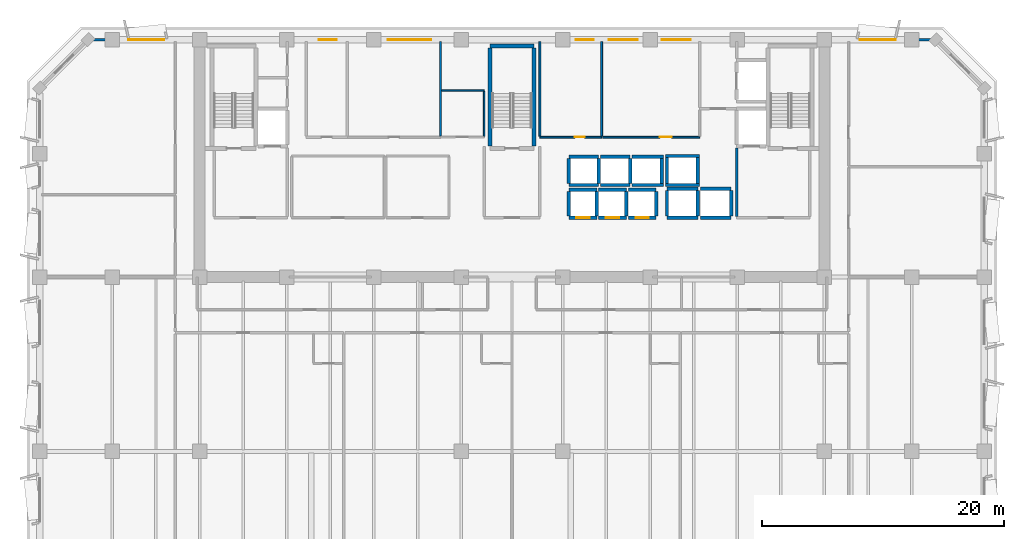
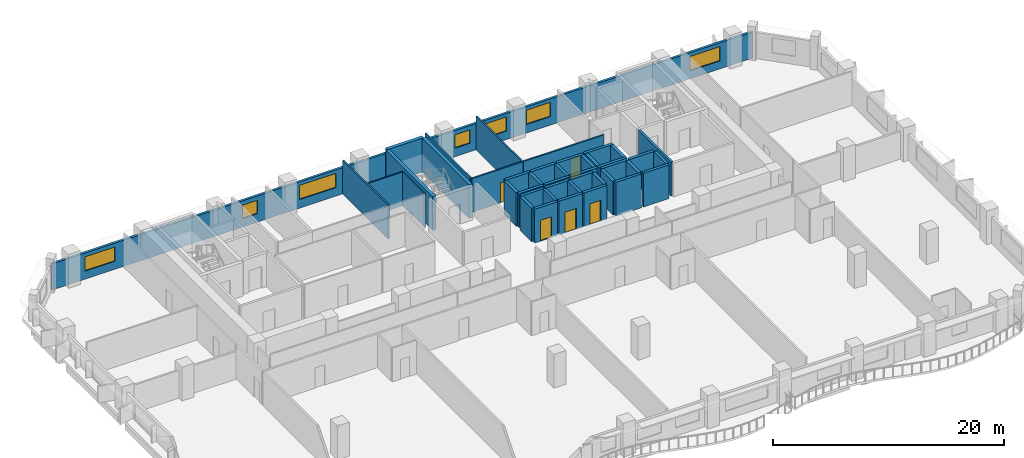
# One storey, part 7 of 14: 43 walls, 7 windows, 5 doors, 12 openings.
"""IFC4 building model written with IfcOpenShell, lengths in metres."""

from ifc_helpers import new_model, si_unit, direction, frame, frame_2d, origin, place, context, subcontext, project, spatial, rectangle, extrude, material, layer, layer_set, type_object, element, fill, save


model = new_model("IFC4")

# Units and contexts
model_context = context("Model", 3, precision=1e-05, world=origin(), true_north=direction((0.0, 1.0)))
body_context = subcontext(model_context, "Body", "Model", "MODEL_VIEW")
ifc_project = project(units=[si_unit("LENGTHUNIT", "METRE"), si_unit("AREAUNIT", "SQUARE_METRE"), si_unit("VOLUMEUNIT", "CUBIC_METRE"), si_unit("PLANEANGLEUNIT", "RADIAN"), si_unit("MASSUNIT", "GRAM", prefix="KILO")], contexts=[model_context])

# Site, building, storey
site_placement = place(None, origin())
site = spatial("IfcSite", under=ifc_project, at=site_placement, CompositionType="ELEMENT")
building_placement = place(site_placement, origin())
building = spatial("IfcBuilding", under=site, at=building_placement, Name="Kaelvorn Grand Hotel", CompositionType="ELEMENT")
storey_placement = place(building_placement, frame((0.0, 0.0, 216.75)))
storey = spatial("IfcBuildingStorey", under=building, at=storey_placement, Name="L53", CompositionType="ELEMENT", Elevation=216.75)

# Wall, openings, windows
ifc_material_1 = material(Name="Concrete C40/50", Category="concrete")
ifc_layer_1 = layer(ifc_material_1, 0.239990234375)
ifc_layer_set_1 = layer_set([ifc_layer_1], Name="Concrete C40/50")
wall_type_1 = type_object("IfcWallType", Name="WL-EXT-240-C40", PredefinedType="SOLIDWALL", material=ifc_layer_set_1)
wall_1_placement = place(storey_placement, frame((77.0, 49.0, 0.0), z_axis=(0.0, 0.0, 1.0), x_axis=(-1.0, 0.0, 0.0)))
wall_1 = element("IfcWall", 1, at=wall_1_placement, inside=storey, type_object=wall_type_1, Name="L53 Exterior Architectural Concrete Wall 05", PredefinedType="SOLIDWALL", context=body_context, shape_type="SweptSolid", body=[
    extrude(rectangle(XDim=70.0, YDim=0.239990234375, at=frame_2d((35.0, 0.0))), origin(), (0.0, 0.0, 1.0), 2.760009765625),
])
opening_1_placement = place(wall_1_placement, frame((63.699951171875, 0.0, 0.85009765625)))
opening_1 = element("IfcOpeningElement", 2, at=opening_1_placement, cuts=wall_1, Name="Opening W5", PredefinedType="OPENING", context=body_context, shape_type="SweptSolid", body=[
    extrude(rectangle(XDim=3.0, YDim=1.5, at=frame_2d((1.5, 0.75))), frame((0.0, 0.1298828125, 0.0), z_axis=(0.0, -1.0, 0.0), x_axis=(1.0, 0.0, 0.0)), (0.0, 0.0, 1.0), 0.260009765625),
])
opening_2_placement = place(wall_1_placement, frame((3.300048828125, 0.0, 0.85009765625)))
opening_2 = element("IfcOpeningElement", 3, at=opening_2_placement, cuts=wall_1, Name="Opening W5", PredefinedType="OPENING", context=body_context, shape_type="SweptSolid", body=[
    extrude(rectangle(XDim=3.0, YDim=1.5, at=frame_2d((1.5, 0.75))), frame((0.0, 0.1298828125, 0.0), z_axis=(0.0, -1.0, 0.0), x_axis=(1.0, 0.0, 0.0)), (0.0, 0.0, 1.0), 0.260009765625),
])
opening_3_placement = place(wall_1_placement, frame((49.465087890625, 0.0, 0.89990234375)))
opening_3 = element("IfcOpeningElement", 4, at=opening_3_placement, cuts=wall_1, Name="Opening W10", PredefinedType="OPENING", context=body_context, shape_type="SweptSolid", body=[
    extrude(rectangle(XDim=1.5, YDim=1.39990234375, at=frame_2d((0.75, 0.699951171875))), frame((0.0, 0.1298828125, 0.0), z_axis=(0.0, -1.0, 0.0), x_axis=(1.0, 0.0, 0.0)), (0.0, 0.0, 1.0), 0.260009765625),
])
opening_4_placement = place(wall_1_placement, frame((41.64990234375, 0.0, 0.89990234375)))
opening_4 = element("IfcOpeningElement", 5, at=opening_4_placement, cuts=wall_1, Name="Opening W3", PredefinedType="OPENING", context=body_context, shape_type="SweptSolid", body=[
    extrude(rectangle(XDim=3.60009765625, YDim=1.5, at=frame_2d((1.800048828125, 0.75))), frame((0.0, 0.1298828125, 0.0), z_axis=(0.0, -1.0, 0.0), x_axis=(1.0, 0.0, 0.0)), (0.0, 0.0, 1.0), 0.260009765625),
])
opening_5_placement = place(wall_1_placement, frame((28.25, 0.0, 0.89990234375)))
opening_5 = element("IfcOpeningElement", 6, at=opening_5_placement, cuts=wall_1, Name="Opening W10", PredefinedType="OPENING", context=body_context, shape_type="SweptSolid", body=[
    extrude(rectangle(XDim=1.5, YDim=1.39990234375, at=frame_2d((0.75, 0.699951171875))), frame((0.0, 0.1298828125, 0.0), z_axis=(0.0, -1.0, 0.0), x_axis=(1.0, 0.0, 0.0)), (0.0, 0.0, 1.0), 0.260009765625),
])
opening_6_placement = place(wall_1_placement, frame((24.60009765625, 0.0, 0.89990234375)))
opening_6 = element("IfcOpeningElement", 7, at=opening_6_placement, cuts=wall_1, Name="Opening W6", PredefinedType="OPENING", context=body_context, shape_type="SweptSolid", body=[
    extrude(rectangle(XDim=2.39990234375, YDim=1.5, at=frame_2d((1.199951171875, 0.75))), frame((0.0, 0.1298828125, 0.0), z_axis=(0.0, -1.0, 0.0), x_axis=(1.0, 0.0, 0.0)), (0.0, 0.0, 1.0), 0.260009765625),
])
opening_7_placement = place(wall_1_placement, frame((20.235107421875, 0.0, 0.89990234375)))
opening_7 = element("IfcOpeningElement", 8, at=opening_7_placement, cuts=wall_1, Name="Opening W6", PredefinedType="OPENING", context=body_context, shape_type="SweptSolid", body=[
    extrude(rectangle(XDim=2.39990234375, YDim=1.5, at=frame_2d((1.199951171875, 0.75))), frame((0.0, 0.1298828125, 0.0), z_axis=(0.0, -1.0, 0.0), x_axis=(1.0, 0.0, 0.0)), (0.0, 0.0, 1.0), 0.260009765625),
])
ifc_material_2 = material(Name="Laminated Low-E Glass", Category="glass")
window_type_1 = type_object("IfcWindowType", Name="WIN-COR-1500x1400", PartitioningType="SINGLE_PANEL", PredefinedType="WINDOW", material=ifc_material_2)
window_1_placement = place(opening_3_placement, origin())
window_1 = element("IfcWindow", 9, at=window_1_placement, inside=storey, type_object=window_type_1, Name="L53 North Core Clerestory Ribbon Window NC03", OverallHeight=1.39990234375, OverallWidth=1.5, PartitioningType="SINGLE_PANEL", PredefinedType="WINDOW", context=body_context, shape_type="SweptSolid", body=[
    extrude(rectangle(XDim=1.5, YDim=1.39990234375, at=frame_2d((0.75, 0.699951171875))), frame((0.0, 0.030029296875, 0.0), z_axis=(0.0, -1.0, 0.0), x_axis=(1.0, 0.0, 0.0)), (0.0, 0.0, 1.0), 0.06005859375),
])
fill(opening_3, window_1)
window_2_placement = place(opening_5_placement, origin())
window_2 = element("IfcWindow", 10, at=window_2_placement, inside=storey, type_object=window_type_1, Name="L53 North Core Clerestory Ribbon Window NC05", OverallHeight=1.39990234375, OverallWidth=1.5, PartitioningType="SINGLE_PANEL", PredefinedType="WINDOW", context=body_context, shape_type="SweptSolid", body=[
    extrude(rectangle(XDim=1.5, YDim=1.39990234375, at=frame_2d((0.75, 0.699951171875))), frame((0.0, 0.030029296875, 0.0), z_axis=(0.0, -1.0, 0.0), x_axis=(1.0, 0.0, 0.0)), (0.0, 0.0, 1.0), 0.06005859375),
])
fill(opening_5, window_2)
window_type_2 = type_object("IfcWindowType", Name="WIN-NTH-2400x1500", PartitioningType="SINGLE_PANEL", PredefinedType="WINDOW", material=ifc_material_2)
window_3_placement = place(opening_6_placement, origin())
window_3 = element("IfcWindow", 11, at=window_3_placement, inside=storey, type_object=window_type_2, Name="L53 North Core Clerestory Ribbon Window NC06", OverallHeight=1.5, OverallWidth=2.39990234375, PartitioningType="SINGLE_PANEL", PredefinedType="WINDOW", context=body_context, shape_type="SweptSolid", body=[
    extrude(rectangle(XDim=2.39990234375, YDim=1.5, at=frame_2d((1.199951171875, 0.75))), frame((0.0, 0.030029296875, 0.0), z_axis=(0.0, -1.0, 0.0), x_axis=(1.0, 0.0, 0.0)), (0.0, 0.0, 1.0), 0.06005859375),
])
fill(opening_6, window_3)
window_4_placement = place(opening_7_placement, origin())
window_4 = element("IfcWindow", 12, at=window_4_placement, inside=storey, type_object=window_type_2, Name="L53 North Core Clerestory Ribbon Window NC07", OverallHeight=1.5, OverallWidth=2.39990234375, PartitioningType="SINGLE_PANEL", PredefinedType="WINDOW", context=body_context, shape_type="SweptSolid", body=[
    extrude(rectangle(XDim=2.39990234375, YDim=1.5, at=frame_2d((1.199951171875, 0.75))), frame((0.0, 0.030029296875, 0.0), z_axis=(0.0, -1.0, 0.0), x_axis=(1.0, 0.0, 0.0)), (0.0, 0.0, 1.0), 0.06005859375),
])
fill(opening_7, window_4)
window_type_3 = type_object("IfcWindowType", Name="WIN-NTH-3000x1500", PartitioningType="SINGLE_PANEL", PredefinedType="WINDOW", material=ifc_material_2)
window_5_placement = place(opening_1_placement, origin())
window_5 = element("IfcWindow", 13, at=window_5_placement, inside=storey, type_object=window_type_3, Name="L53 North Wing Ribbon Window NW01", OverallHeight=1.5, OverallWidth=3.0, PartitioningType="SINGLE_PANEL", PredefinedType="WINDOW", context=body_context, shape_type="SweptSolid", body=[
    extrude(rectangle(XDim=3.0, YDim=1.5, at=frame_2d((1.5, 0.75))), frame((0.0, 0.030029296875, 0.0), z_axis=(0.0, -1.0, 0.0), x_axis=(1.0, 0.0, 0.0)), (0.0, 0.0, 1.0), 0.06005859375),
])
fill(opening_1, window_5)
window_6_placement = place(opening_2_placement, origin())
window_6 = element("IfcWindow", 14, at=window_6_placement, inside=storey, type_object=window_type_3, Name="L53 North Wing Ribbon Window NW02", OverallHeight=1.5, OverallWidth=3.0, PartitioningType="SINGLE_PANEL", PredefinedType="WINDOW", context=body_context, shape_type="SweptSolid", body=[
    extrude(rectangle(XDim=3.0, YDim=1.5, at=frame_2d((1.5, 0.75))), frame((0.0, 0.030029296875, 0.0), z_axis=(0.0, -1.0, 0.0), x_axis=(1.0, 0.0, 0.0)), (0.0, 0.0, 1.0), 0.06005859375),
])
fill(opening_2, window_6)
window_type_4 = type_object("IfcWindowType", Name="WIN-RIB-3600x1750", PartitioningType="SINGLE_PANEL", PredefinedType="WINDOW", material=ifc_material_2)
window_7_placement = place(opening_4_placement, origin())
window_7 = element("IfcWindow", 15, at=window_7_placement, inside=storey, type_object=window_type_4, Name="L53 North Core Clerestory Ribbon Window NC04", OverallHeight=1.5, OverallWidth=3.60009765625, PartitioningType="SINGLE_PANEL", PredefinedType="WINDOW", context=body_context, shape_type="SweptSolid", body=[
    extrude(rectangle(XDim=3.60009765625, YDim=1.5, at=frame_2d((1.800048828125, 0.75))), frame((0.0, 0.030029296875, 0.0), z_axis=(0.0, -1.0, 0.0), x_axis=(1.0, 0.0, 0.0)), (0.0, 0.0, 1.0), 0.06005859375),
])
fill(opening_4, window_7)

# Walls
ifc_material_3 = material(Name="Moisture-Resistant Tile & Stud Board")
ifc_layer_2 = layer(ifc_material_3, 0.125)
ifc_layer_set_2 = layer_set([ifc_layer_2], Name="Moisture-Resistant Tile & Stud Board")
wall_type_2 = type_object("IfcWallType", Name="WL-PART-125-WET", PredefinedType="PARTITIONING", material=ifc_layer_set_2)
wall_2_placement = place(storey_placement, frame((36.179931640625, 44.800048828125, 0.0), z_axis=(0.0, 0.0, 1.0), x_axis=(1.0, 0.0, 0.0)))
element("IfcWall", 16, at=wall_2_placement, inside=storey, type_object=wall_type_2, Name="L53 Accessible WC N Partition", PredefinedType="PARTITIONING", context=body_context, shape_type="SweptSolid", body=[
    extrude(rectangle(XDim=3.52001953125, YDim=0.125, at=frame_2d((1.760009765625, 0.0))), origin(), (0.0, 0.0, 1.0), 3.56005859375),
])
wall_3_placement = place(storey_placement, frame((39.699951171875, 41.017578125, 0.0), z_axis=(0.0, 0.0, 1.0), x_axis=(0.0, 1.0, 0.0)))
element("IfcWall", 17, at=wall_3_placement, inside=storey, type_object=wall_type_2, Name="L53 Accessible WC E Partition", PredefinedType="PARTITIONING", context=body_context, shape_type="SweptSolid", body=[
    extrude(rectangle(XDim=3.71484375, YDim=0.125, at=frame_2d((1.857421875, 0.0))), origin(), (0.0, 0.0, 1.0), 3.56005859375),
])
ifc_material_4 = material(Name="Acoustic Gypsum & Stud Partition")
ifc_layer_3 = layer(ifc_material_4, 0.14990234375)
ifc_layer_set_3 = layer_set([ifc_layer_3], Name="Acoustic Gypsum & Stud Partition")
wall_type_3 = type_object("IfcWallType", Name="WL-PART-150-EI60", PredefinedType="PARTITIONING", material=ifc_layer_set_3)
wall_4_placement = place(storey_placement, frame((36.10009765625, 41.030029296875, 0.0), z_axis=(0.0, 0.0, 1.0), x_axis=(0.0, 1.0, 0.0)))
element("IfcWall", 18, at=wall_4_placement, inside=storey, type_object=wall_type_3, Name="L53 Housekeeping & Linen Room E Partition", PredefinedType="PARTITIONING", context=body_context, shape_type="SweptSolid", body=[
    extrude(rectangle(XDim=7.820068359375, YDim=0.14990234375, at=frame_2d((3.91015625, 0.0))), origin(), (0.0, 0.0, 1.0), 3.56005859375),
])

# Wall, opening, door
wall_5_placement = place(storey_placement, frame((44.300048828125, 40.949951171875, 0.0), z_axis=(0.0, 0.0, 1.0), x_axis=(1.0, 0.0, 0.0)))
wall_5 = element("IfcWall", 19, at=wall_5_placement, inside=storey, type_object=wall_type_3, Name="L53 Laundry Chute Vestibule S Partition", PredefinedType="PARTITIONING", context=body_context, shape_type="SweptSolid", body=[
    extrude(rectangle(XDim=5.099853515625, YDim=0.14990234375, at=frame_2d((2.5498046875, 0.0))), origin(), (0.0, 0.0, 1.0), 3.56005859375),
])
opening_8_placement = place(wall_5_placement, frame((2.875, 0.0, 0.0)))
opening_8 = element("IfcOpeningElement", 20, at=opening_8_placement, cuts=wall_5, Name="Opening DI7", PredefinedType="OPENING", context=body_context, shape_type="SweptSolid", body=[
    extrude(rectangle(XDim=0.85009765625, YDim=2.10009765625, at=frame_2d((0.425048828125, 1.050048828125))), frame((0.0, 0.0849609375, 0.0), z_axis=(0.0, -1.0, 0.0), x_axis=(1.0, 0.0, 0.0)), (0.0, 0.0, 1.0), 0.169921875),
])
ifc_material_5 = material(Name="Powder-Coated Steel Leaf", Category="steel")
door_type_1 = type_object("IfcDoorType", Name="DR-INT-RISER-850x2100", OperationType="NOTDEFINED", PredefinedType="DOOR", material=ifc_material_5)
door_1_placement = place(opening_8_placement, origin())
door_1 = element("IfcDoor", 21, at=door_1_placement, inside=storey, type_object=door_type_1, Name="L53 Laundry Chute Vestibule Door", OperationType="SINGLE_SWING_RIGHT", OverallHeight=2.10009765625, OverallWidth=0.85009765625, PredefinedType="DOOR", context=body_context, shape_type="SweptSolid", body=[
    extrude(rectangle(XDim=0.85009765625, YDim=2.10009765625, at=frame_2d((0.425048828125, 1.050048828125))), frame((0.0, 0.02490234375, 0.0), z_axis=(0.0, -1.0, 0.0), x_axis=(1.0, 0.0, 0.0)), (0.0, 0.0, 1.0), 0.050048828125),
])
fill(opening_8, door_1)

# Walls
for number, where, z_axis, x_axis, name in (
    (22, (44.300048828125, 41.030029296875, 0.0), (0.0, 0.0, 1.0), (0.0, 1.0, 0.0), "L53 Laundry Chute Vestibule W Partition"),
    (23, (49.39990234375, 41.030029296875, 0.0), (0.0, 0.0, 1.0), (0.0, 1.0, 0.0), "L53 Laundry Chute Vestibule E Partition"),
):
    element("IfcWall", number, at=place(storey_placement, frame(where, z_axis=z_axis, x_axis=x_axis)), inside=storey, type_object=wall_type_3, Name=name, PredefinedType="PARTITIONING", context=body_context, shape_type="SweptSolid", body=[
        extrude(rectangle(XDim=7.820068359375, YDim=0.14990234375, at=frame_2d((3.91015625, 0.0))), origin(), (0.0, 0.0, 1.0), 3.56005859375),
    ])

# Wall, opening, door
wall_6_placement = place(storey_placement, frame((49.47998046875, 40.949951171875, 0.0), z_axis=(0.0, 0.0, 1.0), x_axis=(1.0, 0.0, 0.0)))
wall_6 = element("IfcWall", 24, at=wall_6_placement, inside=storey, type_object=wall_type_3, Name="L53 Butler Servery Pantry S Partition", PredefinedType="PARTITIONING", context=body_context, shape_type="SweptSolid", body=[
    extrude(rectangle(XDim=8.02001953125, YDim=0.14990234375, at=frame_2d((4.010009765625, 0.0))), origin(), (0.0, 0.0, 1.0), 3.56005859375),
])
opening_9_placement = place(wall_6_placement, frame((4.719970703125, 0.0, 0.0)))
opening_9 = element("IfcOpeningElement", 25, at=opening_9_placement, cuts=wall_6, Name="Opening DI3", PredefinedType="OPENING", context=body_context, shape_type="SweptSolid", body=[
    extrude(rectangle(XDim=1.0, YDim=2.14990234375, at=frame_2d((0.5, 1.074951171875))), frame((0.0, 0.0849609375, 0.0), z_axis=(0.0, -1.0, 0.0), x_axis=(1.0, 0.0, 0.0)), (0.0, 0.0, 1.0), 0.169921875),
])
ifc_material_6 = material(Name="Timber Veneer Fire Leaf", Category="wood")
door_type_2 = type_object("IfcDoorType", Name="DR-INT-GUEST-1000x2150", OperationType="NOTDEFINED", PredefinedType="DOOR", material=ifc_material_6)
door_2_placement = place(opening_9_placement, origin())
door_2 = element("IfcDoor", 26, at=door_2_placement, inside=storey, type_object=door_type_2, Name="L53 Butler Servery Pantry Door", OperationType="SINGLE_SWING_LEFT", OverallHeight=2.14990234375, OverallWidth=1.0, PredefinedType="DOOR", context=body_context, shape_type="SweptSolid", body=[
    extrude(rectangle(XDim=1.0, YDim=2.14990234375, at=frame_2d((0.5, 1.074951171875))), frame((0.0, 0.02490234375, 0.0), z_axis=(0.0, -1.0, 0.0), x_axis=(1.0, 0.0, 0.0)), (0.0, 0.0, 1.0), 0.050048828125),
])
fill(opening_9, door_2)

# Wall
ifc_layer_4 = layer(ifc_material_1, 0.219970703125)
ifc_layer_set_4 = layer_set([ifc_layer_4], Name="Concrete C40/50")
wall_type_4 = type_object("IfcWallType", Name="WL-PART-220-EI120", PredefinedType="PARTITIONING", material=ifc_layer_set_4)
wall_7_placement = place(storey_placement, frame((60.550048828125, 34.4150390625, 0.0), z_axis=(0.0, 0.0, 1.0), x_axis=(0.0, 1.0, 0.0)))
element("IfcWall", 27, at=wall_7_placement, inside=storey, type_object=wall_type_4, Name="L53 Firefighting Lift Lobby 2 W Partition", PredefinedType="PARTITIONING", context=body_context, shape_type="SweptSolid", body=[
    extrude(rectangle(XDim=5.639892578125, YDim=0.219970703125, at=frame_2d((2.81982421875, 0.0))), origin(), (0.0, 0.0, 1.0), 3.56005859375),
])

# Wall, opening, door
ifc_material_7 = material(Name="Concrete C50/60", Category="concrete")
ifc_layer_5 = layer(ifc_material_7, 0.280029296875)
ifc_layer_set_5 = layer_set([ifc_layer_5], Name="Concrete C50/60")
wall_type_5 = type_object("IfcWallType", Name="WL-SHAFT-280-C50", PredefinedType="SHEAR", material=ifc_layer_set_5)
wall_8_placement = place(storey_placement, frame((46.699951171875, 34.300048828125, 0.0), z_axis=(0.0, 0.0, 1.0), x_axis=(1.0, 0.0, 0.0)))
wall_8 = element("IfcWall", 28, at=wall_8_placement, inside=storey, type_object=wall_type_5, Name="L53 Lift PL-M1 Shaft South Wall", PredefinedType="SHEAR", context=body_context, shape_type="SweptSolid", body=[
    extrude(rectangle(XDim=2.300048828125, YDim=0.280029296875, at=frame_2d((1.14990234375, 0.0))), origin(), (0.0, 0.0, 1.0), 3.56005859375),
])
opening_10_placement = place(wall_8_placement, frame((0.60009765625, 0.0, 0.0)))
opening_10 = element("IfcOpeningElement", 29, at=opening_10_placement, cuts=wall_8, Name="Opening LD-PL-M1", PredefinedType="OPENING", context=body_context, shape_type="SweptSolid", body=[
    extrude(rectangle(XDim=1.10009765625, YDim=2.199951171875, at=frame_2d((0.550048828125, 1.10009765625))), frame((0.0, 0.14990234375, 0.0), z_axis=(0.0, -1.0, 0.0), x_axis=(1.0, 0.0, 0.0)), (0.0, 0.0, 1.0), 0.300048828125),
])
ifc_material_8 = material(Name="Stainless Steel", Category="steel")
door_type_3 = type_object("IfcDoorType", Name="DR-LIFT-PASS-1100x2200", OperationType="DOUBLE_DOOR_SLIDING", PredefinedType="DOOR", material=ifc_material_8)
door_3_placement = place(opening_10_placement, origin())
door_3 = element("IfcDoor", 30, at=door_3_placement, inside=storey, type_object=door_type_3, Name="L53 Lift PL-M1 Sliding Landing Door LD-PL-M1", OperationType="DOUBLE_DOOR_SLIDING", OverallHeight=2.199951171875, OverallWidth=1.10009765625, PredefinedType="DOOR", context=body_context, shape_type="SweptSolid", body=[
    extrude(rectangle(XDim=1.10009765625, YDim=2.199951171875, at=frame_2d((0.550048828125, 1.10009765625))), frame((0.0, 0.02490234375, 0.0), z_axis=(0.0, -1.0, 0.0), x_axis=(1.0, 0.0, 0.0)), (0.0, 0.0, 1.0), 0.050048828125),
])
fill(opening_10, door_3)

# Walls
wall_9_placement = place(storey_placement, frame((46.699951171875, 36.60009765625, 0.0), z_axis=(0.0, 0.0, 1.0), x_axis=(1.0, 0.0, 0.0)))
element("IfcWall", 31, at=wall_9_placement, inside=storey, type_object=wall_type_5, Name="L53 Lift PL-M1 Shaft North Wall", PredefinedType="SHEAR", context=body_context, shape_type="SweptSolid", body=[
    extrude(rectangle(XDim=2.300048828125, YDim=0.280029296875, at=frame_2d((1.14990234375, 0.0))), origin(), (0.0, 0.0, 1.0), 3.56005859375),
])
for number, where, z_axis, x_axis, name in (
    (32, (46.699951171875, 34.445068359375, 0.0), (0.0, 0.0, 1.0), (0.0, 1.0, 0.0), "L53 Lift PL-M1 Shaft West Wall"),
    (33, (49.0, 34.445068359375, 0.0), (0.0, 0.0, 1.0), (0.0, 1.0, 0.0), "L53 Lift PL-M1 Shaft East Wall"),
):
    element("IfcWall", number, at=place(storey_placement, frame(where, z_axis=z_axis, x_axis=x_axis)), inside=storey, type_object=wall_type_5, Name=name, PredefinedType="SHEAR", context=body_context, shape_type="SweptSolid", body=[
        extrude(rectangle(XDim=2.010009765625, YDim=0.280029296875, at=frame_2d((1.0048828125, 0.0))), origin(), (0.0, 0.0, 1.0), 3.56005859375),
    ])

# Wall, opening, door
wall_10_placement = place(storey_placement, frame((49.14990234375, 34.300048828125, 0.0), z_axis=(0.0, 0.0, 1.0), x_axis=(1.0, 0.0, 0.0)))
wall_10 = element("IfcWall", 34, at=wall_10_placement, inside=storey, type_object=wall_type_5, Name="L53 Lift PL-M2 Shaft South Wall", PredefinedType="SHEAR", context=body_context, shape_type="SweptSolid", body=[
    extrude(rectangle(XDim=2.300048828125, YDim=0.280029296875, at=frame_2d((1.14990234375, 0.0))), origin(), (0.0, 0.0, 1.0), 3.56005859375),
])
opening_11_placement = place(wall_10_placement, frame((0.60009765625, 0.0, 0.0)))
opening_11 = element("IfcOpeningElement", 35, at=opening_11_placement, cuts=wall_10, Name="Opening LD-PL-M2", PredefinedType="OPENING", context=body_context, shape_type="SweptSolid", body=[
    extrude(rectangle(XDim=1.10009765625, YDim=2.199951171875, at=frame_2d((0.550048828125, 1.10009765625))), frame((0.0, 0.14990234375, 0.0), z_axis=(0.0, -1.0, 0.0), x_axis=(1.0, 0.0, 0.0)), (0.0, 0.0, 1.0), 0.300048828125),
])
door_4_placement = place(opening_11_placement, origin())
door_4 = element("IfcDoor", 36, at=door_4_placement, inside=storey, type_object=door_type_3, Name="L53 Lift PL-M2 Sliding Landing Door LD-PL-M2", OperationType="DOUBLE_DOOR_SLIDING", OverallHeight=2.199951171875, OverallWidth=1.10009765625, PredefinedType="DOOR", context=body_context, shape_type="SweptSolid", body=[
    extrude(rectangle(XDim=1.10009765625, YDim=2.199951171875, at=frame_2d((0.550048828125, 1.10009765625))), frame((0.0, 0.02490234375, 0.0), z_axis=(0.0, -1.0, 0.0), x_axis=(1.0, 0.0, 0.0)), (0.0, 0.0, 1.0), 0.050048828125),
])
fill(opening_11, door_4)

# Walls
wall_11_placement = place(storey_placement, frame((49.14990234375, 36.60009765625, 0.0), z_axis=(0.0, 0.0, 1.0), x_axis=(1.0, 0.0, 0.0)))
element("IfcWall", 37, at=wall_11_placement, inside=storey, type_object=wall_type_5, Name="L53 Lift PL-M2 Shaft North Wall", PredefinedType="SHEAR", context=body_context, shape_type="SweptSolid", body=[
    extrude(rectangle(XDim=2.300048828125, YDim=0.280029296875, at=frame_2d((1.14990234375, 0.0))), origin(), (0.0, 0.0, 1.0), 3.56005859375),
])
wall_12_placement = place(storey_placement, frame((51.449951171875, 34.445068359375, 0.0), z_axis=(0.0, 0.0, 1.0), x_axis=(0.0, 1.0, 0.0)))
element("IfcWall", 38, at=wall_12_placement, inside=storey, type_object=wall_type_5, Name="L53 Lift PL-M2 Shaft East Wall", PredefinedType="SHEAR", context=body_context, shape_type="SweptSolid", body=[
    extrude(rectangle(XDim=2.010009765625, YDim=0.280029296875, at=frame_2d((1.0048828125, 0.0))), origin(), (0.0, 0.0, 1.0), 3.56005859375),
])

# Wall, opening, door
wall_13_placement = place(storey_placement, frame((51.60009765625, 34.300048828125, 0.0), z_axis=(0.0, 0.0, 1.0), x_axis=(1.0, 0.0, 0.0)))
wall_13 = element("IfcWall", 39, at=wall_13_placement, inside=storey, type_object=wall_type_5, Name="L53 Lift PL-M3 Shaft South Wall", PredefinedType="SHEAR", context=body_context, shape_type="SweptSolid", body=[
    extrude(rectangle(XDim=2.2998046875, YDim=0.280029296875, at=frame_2d((1.14990234375, 0.0))), origin(), (0.0, 0.0, 1.0), 3.56005859375),
])
opening_12_placement = place(wall_13_placement, frame((0.60009765625, 0.0, 0.0)))
opening_12 = element("IfcOpeningElement", 40, at=opening_12_placement, cuts=wall_13, Name="Opening LD-PL-M3", PredefinedType="OPENING", context=body_context, shape_type="SweptSolid", body=[
    extrude(rectangle(XDim=1.10009765625, YDim=2.199951171875, at=frame_2d((0.550048828125, 1.10009765625))), frame((0.0, 0.14990234375, 0.0), z_axis=(0.0, -1.0, 0.0), x_axis=(1.0, 0.0, 0.0)), (0.0, 0.0, 1.0), 0.300048828125),
])
door_5_placement = place(opening_12_placement, origin())
door_5 = element("IfcDoor", 41, at=door_5_placement, inside=storey, type_object=door_type_3, Name="L53 Lift PL-M3 Sliding Landing Door LD-PL-M3", OperationType="DOUBLE_DOOR_SLIDING", OverallHeight=2.199951171875, OverallWidth=1.10009765625, PredefinedType="DOOR", context=body_context, shape_type="SweptSolid", body=[
    extrude(rectangle(XDim=1.10009765625, YDim=2.199951171875, at=frame_2d((0.550048828125, 1.10009765625))), frame((0.0, 0.02490234375, 0.0), z_axis=(0.0, -1.0, 0.0), x_axis=(1.0, 0.0, 0.0)), (0.0, 0.0, 1.0), 0.050048828125),
])
fill(opening_12, door_5)

# Walls
wall_14_placement = place(storey_placement, frame((51.60009765625, 36.60009765625, 0.0), z_axis=(0.0, 0.0, 1.0), x_axis=(1.0, 0.0, 0.0)))
element("IfcWall", 42, at=wall_14_placement, inside=storey, type_object=wall_type_5, Name="L53 Lift PL-M3 Shaft North Wall", PredefinedType="SHEAR", context=body_context, shape_type="SweptSolid", body=[
    extrude(rectangle(XDim=2.2998046875, YDim=0.280029296875, at=frame_2d((1.14990234375, 0.0))), origin(), (0.0, 0.0, 1.0), 3.56005859375),
])
wall_15_placement = place(storey_placement, frame((53.89990234375, 34.445068359375, 0.0), z_axis=(0.0, 0.0, 1.0), x_axis=(0.0, 1.0, 0.0)))
element("IfcWall", 43, at=wall_15_placement, inside=storey, type_object=wall_type_5, Name="L53 Lift PL-M3 Shaft East Wall", PredefinedType="SHEAR", context=body_context, shape_type="SweptSolid", body=[
    extrude(rectangle(XDim=2.010009765625, YDim=0.280029296875, at=frame_2d((1.0048828125, 0.0))), origin(), (0.0, 0.0, 1.0), 3.56005859375),
])
for number, where, z_axis, x_axis, name in (
    (44, (46.699951171875, 37.0, 0.0), (0.0, 0.0, 1.0), (1.0, 0.0, 0.0), "L53 Lift SL-1 Shaft South Wall"),
    (45, (46.699951171875, 39.35009765625, 0.0), (0.0, 0.0, 1.0), (1.0, 0.0, 0.0), "L53 Lift SL-1 Shaft North Wall"),
):
    element("IfcWall", number, at=place(storey_placement, frame(where, z_axis=z_axis, x_axis=x_axis)), inside=storey, type_object=wall_type_5, Name=name, PredefinedType="SHEAR", context=body_context, shape_type="SweptSolid", body=[
        extrude(rectangle(XDim=2.449951171875, YDim=0.280029296875, at=frame_2d((1.22509765625, 0.0))), origin(), (0.0, 0.0, 1.0), 3.56005859375),
    ])
for number, where, z_axis, x_axis, name in (
    (46, (46.699951171875, 37.14501953125, 0.0), (0.0, 0.0, 1.0), (0.0, 1.0, 0.0), "L53 Lift SL-1 Shaft West Wall"),
    (47, (49.14990234375, 37.14501953125, 0.0), (0.0, 0.0, 1.0), (0.0, 1.0, 0.0), "L53 Lift SL-1 Shaft East Wall"),
):
    element("IfcWall", number, at=place(storey_placement, frame(where, z_axis=z_axis, x_axis=x_axis)), inside=storey, type_object=wall_type_5, Name=name, PredefinedType="SHEAR", context=body_context, shape_type="SweptSolid", body=[
        extrude(rectangle(XDim=2.06005859375, YDim=0.280029296875, at=frame_2d((1.030029296875, 0.0))), origin(), (0.0, 0.0, 1.0), 3.56005859375),
    ])
for number, where, z_axis, x_axis, name in (
    (48, (49.300048828125, 37.0, 0.0), (0.0, 0.0, 1.0), (1.0, 0.0, 0.0), "L53 Lift SL-2 Shaft South Wall"),
    (49, (49.300048828125, 39.35009765625, 0.0), (0.0, 0.0, 1.0), (1.0, 0.0, 0.0), "L53 Lift SL-2 Shaft North Wall"),
):
    element("IfcWall", number, at=place(storey_placement, frame(where, z_axis=z_axis, x_axis=x_axis)), inside=storey, type_object=wall_type_5, Name=name, PredefinedType="SHEAR", context=body_context, shape_type="SweptSolid", body=[
        extrude(rectangle(XDim=2.449951171875, YDim=0.280029296875, at=frame_2d((1.22509765625, 0.0))), origin(), (0.0, 0.0, 1.0), 3.56005859375),
    ])
wall_16_placement = place(storey_placement, frame((51.75, 37.14501953125, 0.0), z_axis=(0.0, 0.0, 1.0), x_axis=(0.0, 1.0, 0.0)))
element("IfcWall", 50, at=wall_16_placement, inside=storey, type_object=wall_type_5, Name="L53 Lift SL-2 Shaft East Wall", PredefinedType="SHEAR", context=body_context, shape_type="SweptSolid", body=[
    extrude(rectangle(XDim=2.06005859375, YDim=0.280029296875, at=frame_2d((1.030029296875, 0.0))), origin(), (0.0, 0.0, 1.0), 3.56005859375),
])
for number, where, z_axis, x_axis, name in (
    (51, (51.89990234375, 37.0, 0.0), (0.0, 0.0, 1.0), (1.0, 0.0, 0.0), "L53 Lift SL-3 Shaft South Wall"),
    (52, (51.89990234375, 39.35009765625, 0.0), (0.0, 0.0, 1.0), (1.0, 0.0, 0.0), "L53 Lift SL-3 Shaft North Wall"),
):
    element("IfcWall", number, at=place(storey_placement, frame(where, z_axis=z_axis, x_axis=x_axis)), inside=storey, type_object=wall_type_5, Name=name, PredefinedType="SHEAR", context=body_context, shape_type="SweptSolid", body=[
        extrude(rectangle(XDim=2.590087890625, YDim=0.280029296875, at=frame_2d((1.294921875, 0.0))), origin(), (0.0, 0.0, 1.0), 3.56005859375),
    ])
wall_17_placement = place(storey_placement, frame((54.35009765625, 37.14501953125, 0.0), z_axis=(0.0, 0.0, 1.0), x_axis=(0.0, 1.0, 0.0)))
element("IfcWall", 53, at=wall_17_placement, inside=storey, type_object=wall_type_5, Name="L53 Lift SL-3 Shaft East Wall", PredefinedType="SHEAR", context=body_context, shape_type="SweptSolid", body=[
    extrude(rectangle(XDim=2.06005859375, YDim=0.280029296875, at=frame_2d((1.030029296875, 0.0))), origin(), (0.0, 0.0, 1.0), 3.56005859375),
])
for number, where, z_axis, x_axis, name in (
    (54, (54.800048828125, 34.300048828125, 0.0), (0.0, 0.0, 1.0), (1.0, 0.0, 0.0), "L53 Lift OL-1 Shaft South Wall"),
    (55, (54.800048828125, 36.699951171875, 0.0), (0.0, 0.0, 1.0), (1.0, 0.0, 0.0), "L53 Lift OL-1 Shaft North Wall"),
):
    element("IfcWall", number, at=place(storey_placement, frame(where, z_axis=z_axis, x_axis=x_axis)), inside=storey, type_object=wall_type_5, Name=name, PredefinedType="SHEAR", context=body_context, shape_type="SweptSolid", body=[
        extrude(rectangle(XDim=2.550048828125, YDim=0.280029296875, at=frame_2d((1.27490234375, 0.0))), origin(), (0.0, 0.0, 1.0), 3.56005859375),
    ])
for number, where, z_axis, x_axis, name in (
    (56, (54.800048828125, 34.445068359375, 0.0), (0.0, 0.0, 1.0), (0.0, 1.0, 0.0), "L53 Lift OL-1 Shaft West Wall"),
    (57, (57.35009765625, 34.445068359375, 0.0), (0.0, 0.0, 1.0), (0.0, 1.0, 0.0), "L53 Lift OL-1 Shaft East Wall"),
):
    element("IfcWall", number, at=place(storey_placement, frame(where, z_axis=z_axis, x_axis=x_axis)), inside=storey, type_object=wall_type_5, Name=name, PredefinedType="SHEAR", context=body_context, shape_type="SweptSolid", body=[
        extrude(rectangle(XDim=2.10986328125, YDim=0.280029296875, at=frame_2d((1.054931640625, 0.0))), origin(), (0.0, 0.0, 1.0), 3.56005859375),
    ])
for number, where, z_axis, x_axis, name in (
    (58, (57.550048828125, 34.300048828125, 0.0), (0.0, 0.0, 1.0), (1.0, 0.0, 0.0), "L53 Lift OL-2 Shaft South Wall"),
    (59, (57.550048828125, 36.699951171875, 0.0), (0.0, 0.0, 1.0), (1.0, 0.0, 0.0), "L53 Lift OL-2 Shaft North Wall"),
):
    element("IfcWall", number, at=place(storey_placement, frame(where, z_axis=z_axis, x_axis=x_axis)), inside=storey, type_object=wall_type_5, Name=name, PredefinedType="SHEAR", context=body_context, shape_type="SweptSolid", body=[
        extrude(rectangle(XDim=2.550048828125, YDim=0.280029296875, at=frame_2d((1.27490234375, 0.0))), origin(), (0.0, 0.0, 1.0), 3.56005859375),
    ])
wall_18_placement = place(storey_placement, frame((60.10009765625, 34.445068359375, 0.0), z_axis=(0.0, 0.0, 1.0), x_axis=(0.0, 1.0, 0.0)))
element("IfcWall", 60, at=wall_18_placement, inside=storey, type_object=wall_type_5, Name="L53 Lift OL-2 Shaft East Wall", PredefinedType="SHEAR", context=body_context, shape_type="SweptSolid", body=[
    extrude(rectangle(XDim=2.10986328125, YDim=0.280029296875, at=frame_2d((1.054931640625, 0.0))), origin(), (0.0, 0.0, 1.0), 3.56005859375),
])
for number, where, z_axis, x_axis, name in (
    (61, (54.659912109375, 37.0, 0.0), (0.0, 0.0, 1.0), (1.0, 0.0, 0.0), "L53 Lift OL-3 Shaft South Wall"),
    (62, (54.659912109375, 39.39990234375, 0.0), (0.0, 0.0, 1.0), (1.0, 0.0, 0.0), "L53 Lift OL-3 Shaft North Wall"),
):
    element("IfcWall", number, at=place(storey_placement, frame(where, z_axis=z_axis, x_axis=x_axis)), inside=storey, type_object=wall_type_5, Name=name, PredefinedType="SHEAR", context=body_context, shape_type="SweptSolid", body=[
        extrude(rectangle(XDim=2.830078125, YDim=0.280029296875, at=frame_2d((1.4150390625, 0.0))), origin(), (0.0, 0.0, 1.0), 3.56005859375),
    ])
for number, where, z_axis, x_axis, name in (
    (63, (54.800048828125, 37.14501953125, 0.0), (0.0, 0.0, 1.0), (0.0, 1.0, 0.0), "L53 Lift OL-3 Shaft West Wall"),
    (64, (57.35009765625, 37.14501953125, 0.0), (0.0, 0.0, 1.0), (0.0, 1.0, 0.0), "L53 Lift OL-3 Shaft East Wall"),
):
    element("IfcWall", number, at=place(storey_placement, frame(where, z_axis=z_axis, x_axis=x_axis)), inside=storey, type_object=wall_type_5, Name=name, PredefinedType="SHEAR", context=body_context, shape_type="SweptSolid", body=[
        extrude(rectangle(XDim=2.10986328125, YDim=0.280029296875, at=frame_2d((1.054931640625, 0.0))), origin(), (0.0, 0.0, 1.0), 3.56005859375),
    ])
ifc_material_9 = material(Name="Concrete C60/75", Category="concrete")
ifc_layer_6 = layer(ifc_material_9, 0.35009765625)
ifc_layer_set_6 = layer_set([ifc_layer_6], Name="Concrete C60/75")
wall_type_6 = type_object("IfcWallType", Name="WL-SHAFT-350-C60", PredefinedType="SHEAR", material=ifc_layer_set_6)
wall_19_placement = place(storey_placement, frame((40.18505859375, 48.47509765625, 0.0), z_axis=(0.0, 0.0, 1.0), x_axis=(1.0, 0.0, 0.0)))
element("IfcWall", 65, at=wall_19_placement, inside=storey, type_object=wall_type_6, Name="L53 ST2 Stair Shaft North Wall", PredefinedType="SHEAR", context=body_context, shape_type="SweptSolid", body=[
    extrude(rectangle(XDim=3.6298828125, YDim=0.35009765625, at=frame_2d((1.81494140625, 0.0))), origin(), (0.0, 0.0, 1.0), 3.56005859375),
])
for number, where, z_axis, x_axis, name in (
    (66, (40.18505859375, 40.205078125, 0.0), (0.0, 0.0, 1.0), (0.0, 1.0, 0.0), "L53 ST2 Stair Shaft West Wall"),
    (67, (43.81494140625, 40.205078125, 0.0), (0.0, 0.0, 1.0), (0.0, 1.0, 0.0), "L53 ST2 Stair Shaft East Wall"),
):
    element("IfcWall", number, at=place(storey_placement, frame(where, z_axis=z_axis, x_axis=x_axis)), inside=storey, type_object=wall_type_6, Name=name, PredefinedType="SHEAR", context=body_context, shape_type="SweptSolid", body=[
        extrude(rectangle(XDim=8.08984375, YDim=0.35009765625, at=frame_2d((4.044921875, 0.0))), origin(), (0.0, 0.0, 1.0), 3.56005859375),
    ])

save(model, "model.ifc")
